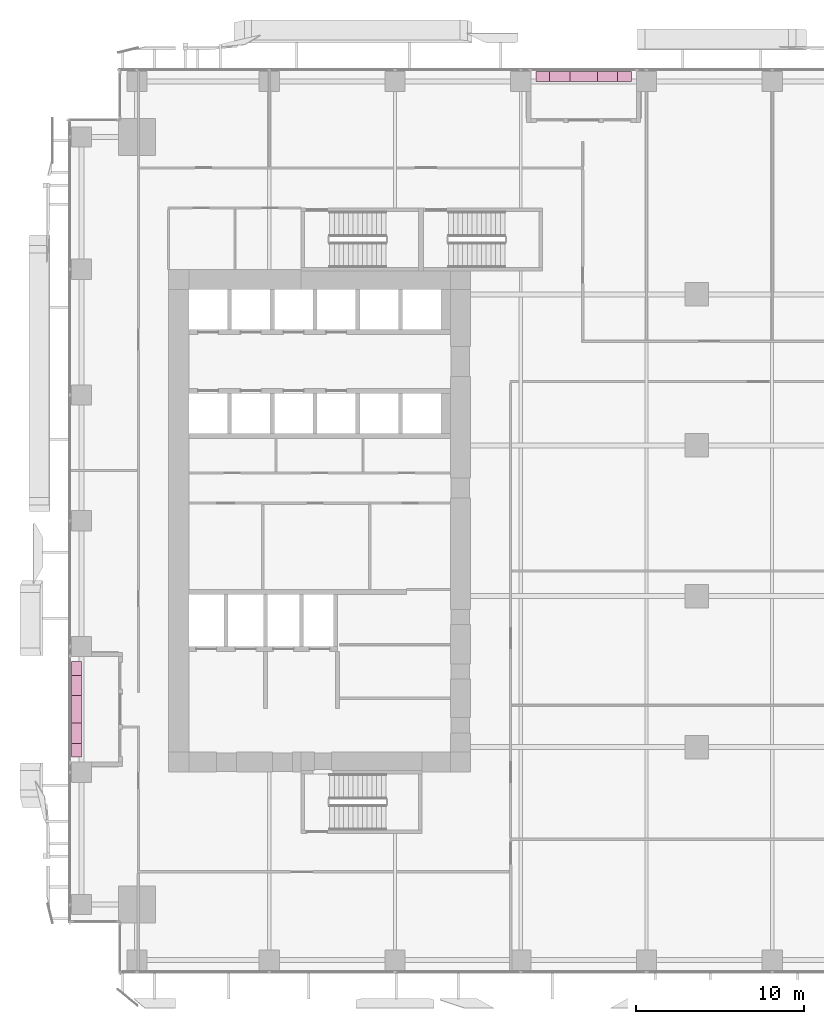
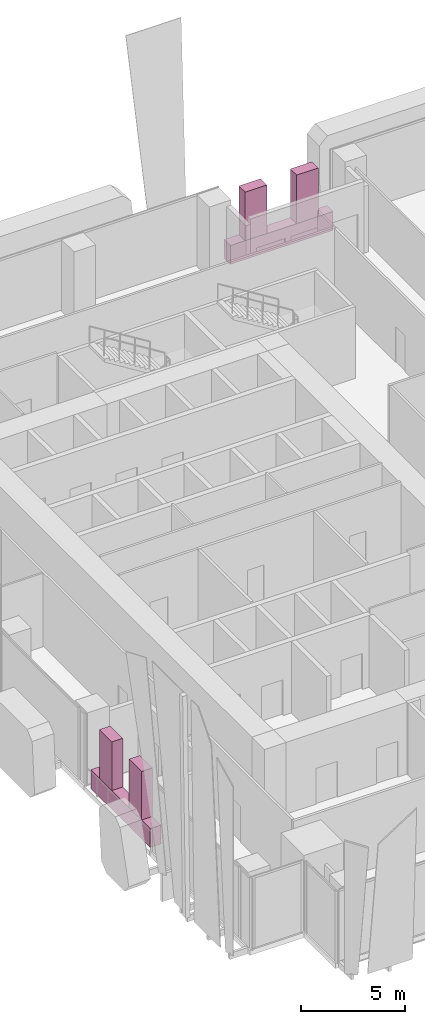
# One storey, part 36 of 36: 6 furnishings.
"""IFC4 building model written with IfcOpenShell, lengths in metres."""

from ifc_helpers import new_model, si_unit, direction, frame, origin, origin_2d, place, context, subcontext, project, spatial, rectangle, extrude, source, transform, mapped, material, type_object, element, save


model = new_model("IFC4")

# Units and contexts
model_context = context("Model", 3, precision=1e-05, world=origin(), true_north=direction((0.0, 1.0)))
body_context = subcontext(model_context, "Body", "Model", "MODEL_VIEW")
ifc_project = project(units=[si_unit("LENGTHUNIT", "METRE"), si_unit("AREAUNIT", "SQUARE_METRE"), si_unit("VOLUMEUNIT", "CUBIC_METRE"), si_unit("PLANEANGLEUNIT", "RADIAN"), si_unit("MASSUNIT", "GRAM", prefix="KILO")], contexts=[model_context])

# Site, building, storey
site_placement = place(None, origin())
site = spatial("IfcSite", under=ifc_project, at=site_placement, CompositionType="ELEMENT")
building_placement = place(site_placement, origin())
building = spatial("IfcBuilding", under=site, at=building_placement, Name="Khomas Fold Tower", CompositionType="ELEMENT")
storey_placement = place(building_placement, frame((0.0, 0.0, 46.5)))
storey = spatial("IfcBuildingStorey", under=building, at=storey_placement, Name="L09", CompositionType="ELEMENT", Elevation=46.5)

# Furnishings
ifc_material_1 = material(Name="Precast concrete C40/50", Category="concrete")
furnishing_element_type_1 = type_object("IfcFurnishingElementType", Name="BL-Structural planter box", material=ifc_material_1)
shared_shape_1 = source(origin(), body_context, "Body", "SweptSolid", [
    extrude(rectangle(XDim=5.699951171875, YDim=0.60009765625, at=origin_2d()), origin(), (0.0, 0.0, 1.0), 1.10009765625),
])
for number, where, z_axis, x_axis, name in (
    (1, (30.75, 53.5, -0.045166015625), (0.0, 0.0, 1.0), (1.0, 0.0, 0.0), "PLANTER BAL-L09-N3"),
    (2, (0.5, 15.75, -0.045166015625), (0.0, 0.0, 1.0), (0.0, 1.0, 0.0), "PLANTER BAL-L09-W1"),
):
    element("IfcFurnishingElement", number, at=place(storey_placement, frame(where, z_axis=z_axis, x_axis=x_axis)), inside=storey, type_object=furnishing_element_type_1, Name=name, context=body_context, shape_type="MappedRepresentation", body=[
        mapped(shared_shape_1, transform((0.0, 0.0, 0.0))),
    ])
ifc_material_2 = material(Name="Planting")
furnishing_element_type_2 = type_object("IfcFurnishingElementType", Name="BL-Tree Karee", material=ifc_material_2)
shared_shape_2 = source(origin(), body_context, "Body", "SweptSolid", [
    extrude(rectangle(XDim=1.199951171875, YDim=0.60009765625, at=origin_2d()), origin(), (0.0, 0.0, 1.0), 2.844970703125),
])
furnishing_1_placement = place(storey_placement, frame((29.324951171875, 53.5, 1.05517578125), z_axis=(0.0, 0.0, 1.0), x_axis=(1.0, 0.0, 0.0)))
element("IfcFurnishingElement", 3, at=furnishing_1_placement, inside=storey, type_object=furnishing_element_type_2, Name="PLANTER (TREE) Karee BAL-L09-N3-1", context=body_context, shape_type="MappedRepresentation", body=[
    mapped(shared_shape_2, transform((0.0, 0.0, 0.0))),
])
ifc_material_3 = material(Name="Planting")
furnishing_element_type_3 = type_object("IfcFurnishingElementType", Name="BL-Tree Wild olive", material=ifc_material_3)
furnishing_2_placement = place(storey_placement, frame((32.175048828125, 53.5, 1.05517578125), z_axis=(0.0, 0.0, 1.0), x_axis=(1.0, 0.0, 0.0)))
element("IfcFurnishingElement", 4, at=furnishing_2_placement, inside=storey, type_object=furnishing_element_type_3, Name="PLANTER (TREE) Wild olive BAL-L09-N3-2", context=body_context, shape_type="MappedRepresentation", body=[
    mapped(shared_shape_2, transform((0.0, 0.0, 0.0))),
])
furnishing_3_placement = place(storey_placement, frame((0.5, 14.324951171875, 1.05517578125), z_axis=(0.0, 0.0, 1.0), x_axis=(0.0, 1.0, 0.0)))
element("IfcFurnishingElement", 5, at=furnishing_3_placement, inside=storey, type_object=furnishing_element_type_2, Name="PLANTER (TREE) Karee BAL-L09-W1-1", context=body_context, shape_type="MappedRepresentation", body=[
    mapped(shared_shape_2, transform((0.0, 0.0, 0.0))),
])
furnishing_4_placement = place(storey_placement, frame((0.5, 17.175048828125, 1.05517578125), z_axis=(0.0, 0.0, 1.0), x_axis=(0.0, 1.0, 0.0)))
element("IfcFurnishingElement", 6, at=furnishing_4_placement, inside=storey, type_object=furnishing_element_type_3, Name="PLANTER (TREE) Wild olive BAL-L09-W1-2", context=body_context, shape_type="MappedRepresentation", body=[
    mapped(shared_shape_2, transform((0.0, 0.0, 0.0))),
])

save(model, "model.ifc")
